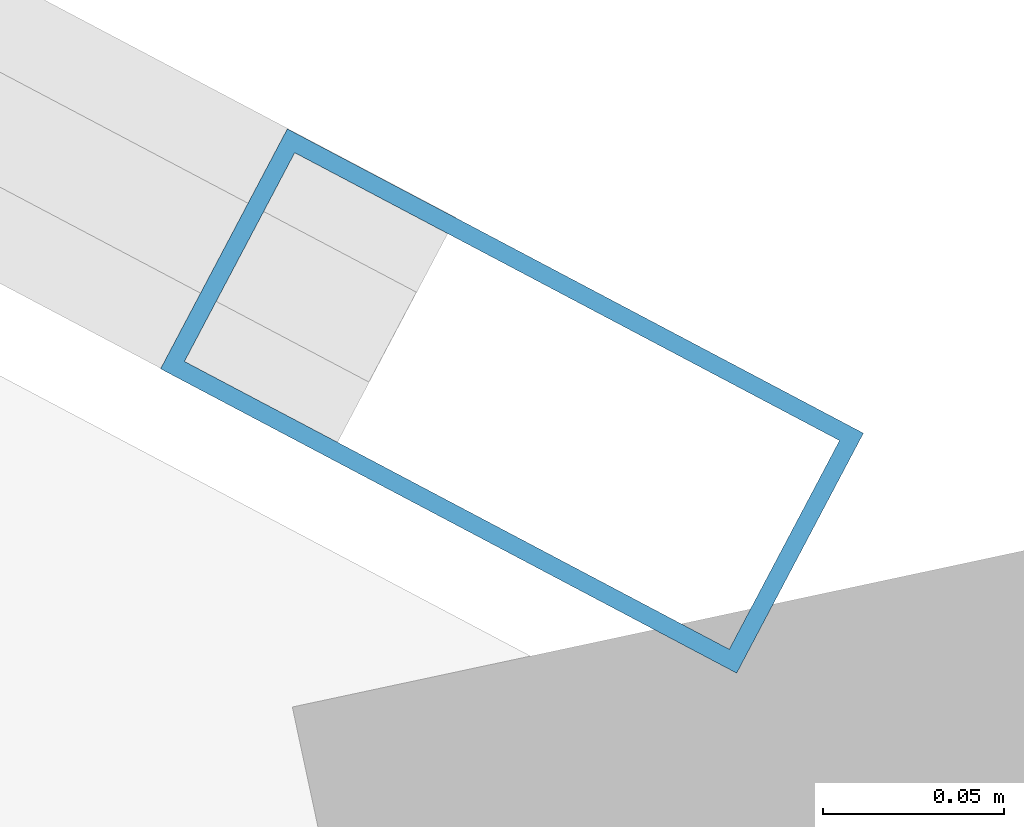
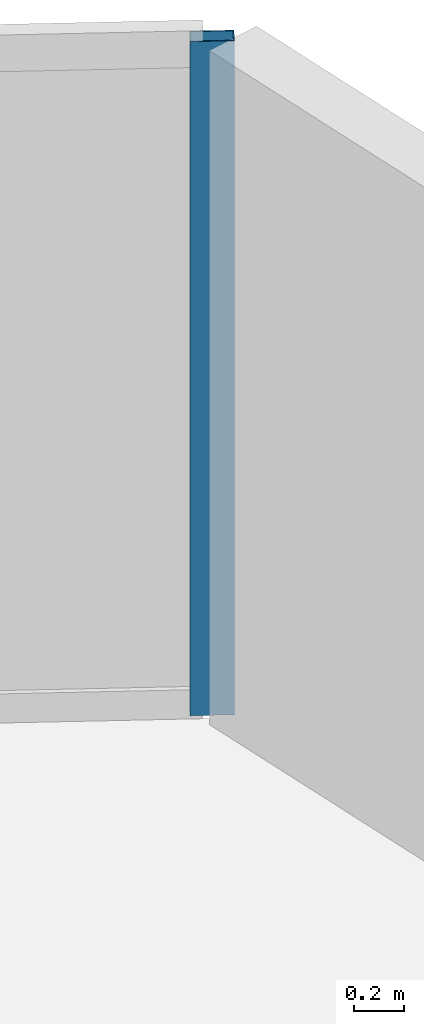
# One storey, part 11 of 22: 1 member, 1 element without a shape of its own.
"""IFC4 building model written with IfcOpenShell, lengths in metres."""

from ifc_helpers import new_model, si_unit, direction, frame, origin, origin_2d, place, context, subcontext, project, spatial, hollow_rectangle, extrude, source, transform, mapped, material, layer, layer_set, material_profile, profile_set, type_object, type_shapes, element, aggregate, save


model = new_model("IFC4")

# Units and contexts
model_context = context("Model", 3, precision=1e-05, world=origin(), true_north=direction((0.0, 1.0)))
body_context = subcontext(model_context, "Body", "Model", "MODEL_VIEW")
ifc_project = project(units=[si_unit("LENGTHUNIT", "METRE"), si_unit("AREAUNIT", "SQUARE_METRE"), si_unit("VOLUMEUNIT", "CUBIC_METRE"), si_unit("PLANEANGLEUNIT", "RADIAN"), si_unit("MASSUNIT", "GRAM", prefix="KILO")], contexts=[model_context])

# Site, building, storey
site_placement = place(None, origin())
site = spatial("IfcSite", under=ifc_project, at=site_placement, CompositionType="ELEMENT")
building_placement = place(site_placement, origin())
building = spatial("IfcBuilding", under=site, at=building_placement, Name="Talar Marvaseh", CompositionType="ELEMENT")
storey_placement = place(building_placement, frame((0.0, 0.0, 150.60009765625)))
storey = spatial("IfcBuildingStorey", under=building, at=storey_placement, Name="L39", CompositionType="ELEMENT", Elevation=150.60009765625)

# Curtain wall, member
ifc_material = material(Name="Architectural Aluminium", Category="aluminium")
ifc_layer = layer(ifc_material, 0.199951171875)
ifc_layer_set = layer_set([ifc_layer], Name="Architectural Aluminium")
curtain_wall_type = type_object("IfcCurtainWallType", Name="Unitised Acoustic Library Curtain Wall Z2", PredefinedType="NOTDEFINED", material=ifc_layer_set)
curtain_wall_placement = place(storey_placement, origin())
curtain_wall = element("IfcCurtainWall", 1, at=curtain_wall_placement, inside=storey, type_object=curtain_wall_type, Name="L39 Unitised Acoustic Library Curtain Wall Z2", PredefinedType="NOTDEFINED")
ifc_material_profile = material_profile(ifc_material, hollow_rectangle(XDim=0.074951171875, YDim=0.179931640625, WallThickness=0.0048828125, at=origin_2d()), Name="RHS180x75x5")
ifc_profile_set = profile_set([ifc_material_profile], Name="Architectural Aluminium")
member_type = type_object("IfcMemberType", Name="Unitised Curtain Wall Standard Mullion RHS180x75x5", PredefinedType="MULLION", material=ifc_profile_set)
shared_shape = source(origin(), body_context, "Body", "SweptSolid", [
    extrude(hollow_rectangle(XDim=0.074951171875, YDim=0.179931640625, WallThickness=0.0048828125, at=origin_2d()), origin(), (0.0, 0.0, 1.0), 3.309814453125),
])
type_shapes(member_type, [shared_shape])
member_placement = place(storey_placement, frame((46.725830078125, 38.61328125, 0.0), z_axis=(0.0, 0.0, 1.0), x_axis=(0.467097780164, 0.88420566825, 0.0)))
member = element("IfcMember", 2, at=member_placement, type_object=member_type, Name="CW-Z2 mullion 5", PredefinedType="MULLION", context=body_context, shape_type="MappedRepresentation", body=[
    mapped(shared_shape, transform((0.0, 0.0, 0.0), x_axis=(1.0, 0.0, 0.0), y_axis=(0.0, 1.0, 0.0), z_axis=(0.0, 0.0, 1.0), scale=1.0)),
])
aggregate(curtain_wall, [member])

save(model, "model.ifc")
